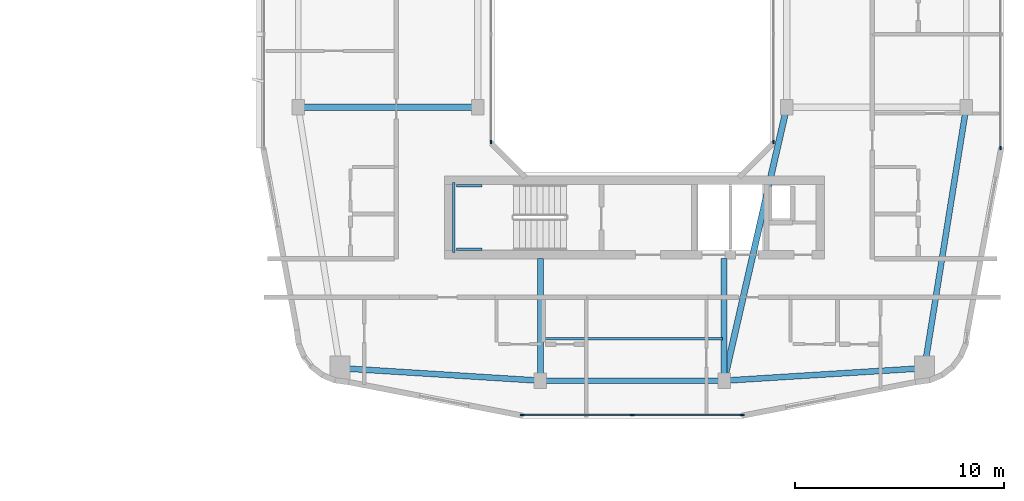
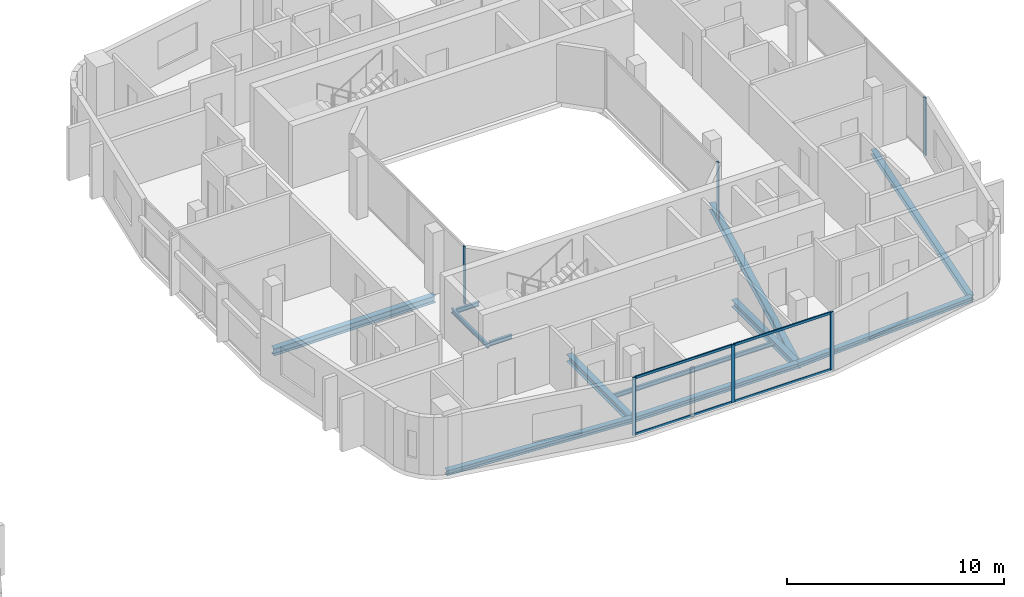
# One storey, part 8 of 26: 12 beams, 10 members, 4 elements without a shape of their own.
"""IFC4 building model written with IfcOpenShell, lengths in metres."""

from ifc_helpers import new_model, si_unit, derived_unit, direction, frame, origin, origin_2d, place, context, subcontext, project, spatial, rectangle, i_section, extrude, material, layer, layer_set, material_profile, profile_set, type_object, element, aggregate, save


model = new_model("IFC4")

# Units and contexts
model_context = context("Model", 3, precision=1e-05, world=origin(), true_north=direction((0.0, 1.0)))
body_context = subcontext(model_context, "Body", "Model", "MODEL_VIEW")
ifc_project = project(units=[si_unit("LENGTHUNIT", "METRE"), si_unit("AREAUNIT", "SQUARE_METRE"), si_unit("VOLUMEUNIT", "CUBIC_METRE"), si_unit("PLANEANGLEUNIT", "RADIAN"), si_unit("MASSUNIT", "GRAM", prefix="KILO"), derived_unit("THERMALTRANSMITTANCEUNIT", [(si_unit("POWERUNIT", "WATT"), 1), (si_unit("LENGTHUNIT", "METRE"), -2), (si_unit("THERMODYNAMICTEMPERATUREUNIT", "KELVIN"), -1)])], contexts=[model_context])

# Site, building, storey
site_placement = place(None, origin())
site = spatial("IfcSite", under=ifc_project, at=site_placement, CompositionType="ELEMENT")
building_placement = place(site_placement, origin())
building = spatial("IfcBuilding", under=site, at=building_placement, Name="Kivonza Crest Hotel", CompositionType="ELEMENT")
storey_placement = place(building_placement, frame((0.0, 0.0, 102.0)))
storey = spatial("IfcBuildingStorey", under=building, at=storey_placement, Name="L27", CompositionType="ELEMENT", Elevation=102.0)

# Beams
ifc_material_1 = material(Name="Steel S355", Category="steel")
ifc_material_profile_1 = material_profile(ifc_material_1, i_section(OverallWidth=0.280029296875, OverallDepth=0.280029296875, WebThickness=0.010498046875, FlangeThickness=0.01806640625, FilletRadius=0.02392578125, at=origin_2d()), Name="HEB 280")
ifc_profile_set_1 = profile_set([ifc_material_profile_1], Name="Steel S355")
beam_type_1 = type_object("IfcBeamType", Name="BM-HEB280", PredefinedType="SPANDREL", material=ifc_profile_set_1)
beam_1_placement = place(storey_placement, frame((72.60009765625, 8.39990234375, -0.389892578125), z_axis=(1.0, 0.0, 0.0), x_axis=(0.0, 1.0, 0.0)))
element("IfcBeam", 1, at=beam_1_placement, inside=storey, type_object=beam_type_1, Name="Companion Tower T2 L27 perimeter spandrel S1-S2", PredefinedType="SPANDREL", context=body_context, shape_type="SweptSolid", body=[
    extrude(i_section(OverallWidth=0.280029296875, OverallDepth=0.280029296875, WebThickness=0.010498046875, FlangeThickness=0.01806640625, FilletRadius=0.02392578125, at=origin_2d()), origin(), (0.0, 0.0, 1.0), 8.7998046875),
])
beam_2_placement = place(storey_placement, frame((81.39990234375, 8.39990234375, -0.389892578125), z_axis=(0.998051985873, 0.062387767186, 0.0), x_axis=(-0.062387767186, 0.998051985873, 0.0)))
element("IfcBeam", 2, at=beam_2_placement, inside=storey, type_object=beam_type_1, Name="Companion Tower T2 L27 perimeter spandrel S2-SE", PredefinedType="SPANDREL", context=body_context, shape_type="SweptSolid", body=[
    extrude(i_section(OverallWidth=0.280029296875, OverallDepth=0.280029296875, WebThickness=0.010498046875, FlangeThickness=0.01806640625, FilletRadius=0.02392578125, at=origin_2d()), origin(), (0.0, 0.0, 1.0), 9.618896484375),
])
beam_3_placement = place(storey_placement, frame((91.0, 9.0, -0.389892578125), z_axis=(0.157990501107, 0.987440631917, 0.0), x_axis=(-0.987440631917, 0.157990501107, 0.0)))
element("IfcBeam", 3, at=beam_3_placement, inside=storey, type_object=beam_type_1, Name="Companion Tower T2 L27 perimeter spandrel SE-E1", PredefinedType="SPANDREL", context=body_context, shape_type="SweptSolid", body=[
    extrude(i_section(OverallWidth=0.280029296875, OverallDepth=0.280029296875, WebThickness=0.010498046875, FlangeThickness=0.01806640625, FilletRadius=0.02392578125, at=origin_2d()), origin(), (0.0, 0.0, 1.0), 12.658935546875),
])
beam_4_placement = place(storey_placement, frame((63.0, 9.0, -0.389892578125), z_axis=(0.998051985873, -0.062387767186, 0.0), x_axis=(0.062387767186, 0.998051985873, 0.0)))
element("IfcBeam", 4, at=beam_4_placement, inside=storey, type_object=beam_type_1, Name="Companion Tower T2 L27 perimeter spandrel SW-S1", PredefinedType="SPANDREL", context=body_context, shape_type="SweptSolid", body=[
    extrude(i_section(OverallWidth=0.280029296875, OverallDepth=0.280029296875, WebThickness=0.010498046875, FlangeThickness=0.01806640625, FilletRadius=0.02392578125, at=origin_2d()), origin(), (0.0, 0.0, 1.0), 9.618896484375),
])
ifc_material_profile_2 = material_profile(ifc_material_1, i_section(OverallWidth=0.300048828125, OverallDepth=0.39990234375, WebThickness=0.013427734375, FlangeThickness=0.02392578125, FilletRadius=0.027099609375, at=origin_2d()), Name="HEB 400")
ifc_profile_set_2 = profile_set([ifc_material_profile_2], Name="Steel S355")
beam_type_2 = type_object("IfcBeamType", Name="BM-HEB400", PredefinedType="BEAM", material=ifc_profile_set_2)
beam_5_placement = place(storey_placement, frame((61.0, 21.5, -0.449951171875), z_axis=(1.0, 0.0, 0.0), x_axis=(0.0, 1.0, 0.0)))
element("IfcBeam", 5, at=beam_5_placement, inside=storey, type_object=beam_type_2, Name="Companion Tower T2 L27 girder W1-WL1", PredefinedType="BEAM", context=body_context, shape_type="SweptSolid", body=[
    extrude(i_section(OverallWidth=0.300048828125, OverallDepth=0.39990234375, WebThickness=0.013427734375, FlangeThickness=0.02392578125, FilletRadius=0.027099609375, at=origin_2d()), origin(), (0.0, 0.0, 1.0), 8.60009765625),
])
beam_6_placement = place(storey_placement, frame((84.39990234375, 21.5, -0.449951171875), z_axis=(-0.223227287589, -0.974766422317, 0.0), x_axis=(0.974766422317, -0.223227287589, 0.0)))
element("IfcBeam", 6, at=beam_6_placement, inside=storey, type_object=beam_type_2, Name="Companion Tower T2 L27 girder WR1-S2", PredefinedType="BEAM", context=body_context, shape_type="SweptSolid", body=[
    extrude(i_section(OverallWidth=0.300048828125, OverallDepth=0.39990234375, WebThickness=0.013427734375, FlangeThickness=0.02392578125, FilletRadius=0.027099609375, at=origin_2d()), origin(), (0.0, 0.0, 1.0), 13.439208984375),
])
for number, where, z_axis, x_axis, name in (
    (7, (72.60009765625, 8.39990234375, -0.449951171875), (0.0, 1.0, 0.0), (-1.0, 0.0, 0.0), "Companion T2 L27 radial core girder RS1"),
    (8, (81.39990234375, 8.39990234375, -0.449951171875), (0.0, 1.0, 0.0), (-1.0, 0.0, 0.0), "Companion T2 L27 radial core girder RS2"),
):
    element("IfcBeam", number, at=place(storey_placement, frame(where, z_axis=z_axis, x_axis=x_axis)), inside=storey, type_object=beam_type_2, Name=name, PredefinedType="BEAM", context=body_context, shape_type="SweptSolid", body=[
        extrude(i_section(OverallWidth=0.300048828125, OverallDepth=0.39990234375, WebThickness=0.013427734375, FlangeThickness=0.02392578125, FilletRadius=0.027099609375, at=origin_2d()), origin(), (0.0, 0.0, 1.0), 5.85009765625),
    ])
ifc_material_profile_3 = material_profile(ifc_material_1, i_section(OverallWidth=0.1201171875, OverallDepth=0.239990234375, WebThickness=0.006103515625, FlangeThickness=0.009765625, FilletRadius=0.014892578125, at=origin_2d()), Name="IPE 240")
ifc_profile_set_3 = profile_set([ifc_material_profile_3], Name="Steel S355")
beam_type_3 = type_object("IfcBeamType", Name="BM-IPE240", PredefinedType="JOIST", material=ifc_profile_set_3)
beam_7_placement = place(storey_placement, frame((72.679931640625, 10.39990234375, -0.3701171875), z_axis=(1.0, 0.0, 0.0), x_axis=(0.0, 1.0, 0.0)))
element("IfcBeam", 9, at=beam_7_placement, inside=storey, type_object=beam_type_3, Name="Companion Tower T2 L27 South floor joist", PredefinedType="JOIST", context=body_context, shape_type="SweptSolid", body=[
    extrude(i_section(OverallWidth=0.1201171875, OverallDepth=0.239990234375, WebThickness=0.006103515625, FlangeThickness=0.009765625, FilletRadius=0.014892578125, at=origin_2d()), origin(), (0.0, 0.0, 1.0), 8.64013671875),
])
ifc_material_profile_4 = material_profile(ifc_material_1, i_section(OverallWidth=0.1201171875, OverallDepth=0.239990234375, WebThickness=0.006103515625, FlangeThickness=0.009765625, FilletRadius=0.014892578125, at=origin_2d()), Name="IPE 240")
ifc_profile_set_4 = profile_set([ifc_material_profile_4], Name="Steel S355")
beam_type_4 = type_object("IfcBeamType", Name="BM-LLDG-240", PredefinedType="BEAM", material=ifc_profile_set_4)
beam_8_placement = place(storey_placement, frame((68.4599609375, 14.5400390625, 1.429931640625), z_axis=(0.0, 1.0, 0.0), x_axis=(-1.0, 0.0, 0.0)))
element("IfcBeam", 10, at=beam_8_placement, inside=storey, type_object=beam_type_4, Name="Stair ST-T2-S L27 West landing corbel", PredefinedType="BEAM", context=body_context, shape_type="SweptSolid", body=[
    extrude(i_section(OverallWidth=0.1201171875, OverallDepth=0.239990234375, WebThickness=0.006103515625, FlangeThickness=0.009765625, FilletRadius=0.014892578125, at=origin_2d()), origin(), (0.0, 0.0, 1.0), 3.35986328125),
])
for number, where, z_axis, x_axis, name in (
    (11, (68.590087890625, 14.699951171875, 1.429931640625), (1.0, 0.0, 0.0), (0.0, 1.0, 0.0), "Stair ST-T2-S L27 South landing corbel"),
    (12, (68.590087890625, 17.739990234375, 1.429931640625), (1.0, 0.0, 0.0), (0.0, 1.0, 0.0), "Stair ST-T2-S L27 North landing corbel"),
):
    element("IfcBeam", number, at=place(storey_placement, frame(where, z_axis=z_axis, x_axis=x_axis)), inside=storey, type_object=beam_type_4, Name=name, PredefinedType="BEAM", context=body_context, shape_type="SweptSolid", body=[
        extrude(i_section(OverallWidth=0.1201171875, OverallDepth=0.239990234375, WebThickness=0.006103515625, FlangeThickness=0.009765625, FilletRadius=0.014892578125, at=origin_2d()), origin(), (0.0, 0.0, 1.0), 1.2099609375),
    ])

# Curtain wall, members
ifc_material_2 = material(Name="Anodised bronze aluminium and low-E double glazing", Category="aluminium")
ifc_layer_1 = layer(ifc_material_2, 0.179931640625)
ifc_layer_set_1 = layer_set([ifc_layer_1], Name="Anodised bronze aluminium and low-E double glazing")
curtain_wall_type_1 = type_object("IfcCurtainWallType", Name="CW-SYS-4", PredefinedType="NOTDEFINED", material=ifc_layer_set_1)
curtain_wall_1_placement = place(storey_placement, origin())
curtain_wall_1 = element("IfcCurtainWall", 13, at=curtain_wall_1_placement, inside=storey, type_object=curtain_wall_type_1, Name="L27 unitised curtain wall CW-T2-L27-08", PredefinedType="NOTDEFINED")
ifc_material_3 = material(Name="Anodised bronze aluminium", Category="aluminium")
ifc_material_profile_5 = material_profile(ifc_material_3, rectangle(XDim=0.06494140625, YDim=0.179931640625, at=origin_2d()), Name="CW-M 65x180")
ifc_profile_set_5 = profile_set([ifc_material_profile_5], Name="Anodised bronze aluminium")
member_type_1 = type_object("IfcMemberType", Name="CW-MUL-65x180", PredefinedType="MULLION", material=ifc_profile_set_5)
member_1_placement = place(storey_placement, frame((71.732421875, 6.760009765625, 0.0), z_axis=(0.0, 0.0, 1.0), x_axis=(0.0, 1.0, 0.0)))
member_1 = element("IfcMember", 14, at=member_1_placement, type_object=member_type_1, Name="CW-4 mullion 1", PredefinedType="MULLION", context=body_context, shape_type="SweptSolid", body=[
    extrude(rectangle(XDim=0.06494140625, YDim=0.179931640625, at=origin_2d()), origin(), (0.0, 0.0, 1.0), 3.25),
])
member_2_placement = place(storey_placement, frame((77.0, 6.760009765625, 0.0), z_axis=(0.0, 0.0, 1.0), x_axis=(0.0, 1.0, 0.0)))
member_2 = element("IfcMember", 15, at=member_2_placement, type_object=member_type_1, Name="CW-4 mullion 2", PredefinedType="MULLION", context=body_context, shape_type="SweptSolid", body=[
    extrude(rectangle(XDim=0.06494140625, YDim=0.179931640625, at=origin_2d()), origin(), (0.0, 0.0, 1.0), 3.25),
])
member_3_placement = place(storey_placement, frame((82.267578125, 6.760009765625, 0.0), z_axis=(0.0, 0.0, 1.0), x_axis=(0.0, 1.0, 0.0)))
member_3 = element("IfcMember", 16, at=member_3_placement, type_object=member_type_1, Name="CW-4 mullion 3", PredefinedType="MULLION", context=body_context, shape_type="SweptSolid", body=[
    extrude(rectangle(XDim=0.06494140625, YDim=0.179931640625, at=origin_2d()), origin(), (0.0, 0.0, 1.0), 3.25),
])

# Curtain wall, member
curtain_wall_2_placement = place(storey_placement, origin())
curtain_wall_2 = element("IfcCurtainWall", 17, at=curtain_wall_2_placement, inside=storey, type_object=curtain_wall_type_1, Name="L27 unitised curtain wall CW-T2-L27-17", PredefinedType="NOTDEFINED")
member_4_placement = place(storey_placement, frame((94.639892578125, 19.552490234375, 0.0), z_axis=(0.0, 0.0, 1.0), x_axis=(-1.0, 0.0, 0.0)))
member_4 = element("IfcMember", 18, at=member_4_placement, type_object=member_type_1, Name="CW-4 mullion 1", PredefinedType="MULLION", context=body_context, shape_type="SweptSolid", body=[
    extrude(rectangle(XDim=0.06494140625, YDim=0.179931640625, at=origin_2d()), origin(), (0.0, 0.0, 1.0), 3.25),
])
aggregate(curtain_wall_2, [member_4])

ifc_layer_2 = layer(ifc_material_2, 0.159912109375)
ifc_layer_set_2 = layer_set([ifc_layer_2], Name="Anodised bronze aluminium and low-E double glazing")
curtain_wall_type_2 = type_object("IfcCurtainWallType", Name="CW-SYS-5", PredefinedType="NOTDEFINED", material=ifc_layer_set_2)
curtain_wall_3_placement = place(storey_placement, origin())
curtain_wall_3 = element("IfcCurtainWall", 19, at=curtain_wall_3_placement, inside=storey, type_object=curtain_wall_type_2, Name="L27 unitised curtain wall CW-WELL-T2-L27-3", PredefinedType="NOTDEFINED")
member_5_placement = place(storey_placement, frame((83.760009765625, 19.83251953125, 0.0), z_axis=(0.0, 0.0, 1.0), x_axis=(-1.0, 0.0, 0.0)))
member_5 = element("IfcMember", 20, at=member_5_placement, type_object=member_type_1, Name="CW-5 mullion 1", PredefinedType="MULLION", context=body_context, shape_type="SweptSolid", body=[
    extrude(rectangle(XDim=0.06494140625, YDim=0.179931640625, at=origin_2d()), origin(), (0.0, 0.0, 1.0), 3.25),
])
aggregate(curtain_wall_3, [member_5])

curtain_wall_4_placement = place(storey_placement, origin())
curtain_wall_4 = element("IfcCurtainWall", 21, at=curtain_wall_4_placement, inside=storey, type_object=curtain_wall_type_2, Name="L27 unitised curtain wall CW-WELL-T2-L27-7", PredefinedType="NOTDEFINED")
member_6_placement = place(storey_placement, frame((70.239990234375, 19.83251953125, 0.0), z_axis=(0.0, 0.0, 1.0), x_axis=(1.0, 0.0, 0.0)))
member_6 = element("IfcMember", 22, at=member_6_placement, type_object=member_type_1, Name="CW-5 mullion 3", PredefinedType="MULLION", context=body_context, shape_type="SweptSolid", body=[
    extrude(rectangle(XDim=0.06494140625, YDim=0.179931640625, at=origin_2d()), origin(), (0.0, 0.0, 1.0), 3.25),
])
aggregate(curtain_wall_4, [member_6])

# Member
ifc_material_profile_6 = material_profile(ifc_material_3, rectangle(XDim=0.06494140625, YDim=0.139892578125, at=origin_2d()), Name="CW-T 65x140")
ifc_profile_set_6 = profile_set([ifc_material_profile_6], Name="Anodised bronze aluminium")
member_type_2 = type_object("IfcMemberType", Name="CW-TRN-65x140", PredefinedType="USERDEFINED", material=ifc_profile_set_6)
member_7_placement = place(storey_placement, frame((71.764892578125, 6.760009765625, 0.032470703125), z_axis=(1.0, 0.0, 0.0), x_axis=(0.0, 1.0, 0.0)))
member_7 = element("IfcMember", 23, at=member_7_placement, type_object=member_type_2, Name="CW-4 transom 1.1", ObjectType="TRANSOM", PredefinedType="USERDEFINED", context=body_context, shape_type="SweptSolid", body=[
    extrude(rectangle(XDim=0.06494140625, YDim=0.139892578125, at=origin_2d()), origin(), (0.0, 0.0, 1.0), 5.20263671875),
])

member_8_placement = place(storey_placement, frame((71.764892578125, 6.760009765625, 3.217529296875), z_axis=(1.0, 0.0, 0.0), x_axis=(0.0, 1.0, 0.0)))
member_8 = element("IfcMember", 24, at=member_8_placement, type_object=member_type_2, Name="CW-4 transom 1.2", ObjectType="TRANSOM", PredefinedType="USERDEFINED", context=body_context, shape_type="SweptSolid", body=[
    extrude(rectangle(XDim=0.06494140625, YDim=0.139892578125, at=origin_2d()), origin(), (0.0, 0.0, 1.0), 5.20263671875),
])

member_9_placement = place(storey_placement, frame((77.032470703125, 6.760009765625, 0.032470703125), z_axis=(1.0, 0.0, 0.0), x_axis=(0.0, 1.0, 0.0)))
member_9 = element("IfcMember", 25, at=member_9_placement, type_object=member_type_2, Name="CW-4 transom 2.1", ObjectType="TRANSOM", PredefinedType="USERDEFINED", context=body_context, shape_type="SweptSolid", body=[
    extrude(rectangle(XDim=0.06494140625, YDim=0.139892578125, at=origin_2d()), origin(), (0.0, 0.0, 1.0), 5.20263671875),
])

member_10_placement = place(storey_placement, frame((77.032470703125, 6.760009765625, 3.217529296875), z_axis=(1.0, 0.0, 0.0), x_axis=(0.0, 1.0, 0.0)))
member_10 = element("IfcMember", 26, at=member_10_placement, type_object=member_type_2, Name="CW-4 transom 2.2", ObjectType="TRANSOM", PredefinedType="USERDEFINED", context=body_context, shape_type="SweptSolid", body=[
    extrude(rectangle(XDim=0.06494140625, YDim=0.139892578125, at=origin_2d()), origin(), (0.0, 0.0, 1.0), 5.20263671875),
])

aggregate(curtain_wall_1, [member_1, member_2, member_3, member_7, member_8, member_9, member_10])

save(model, "model.ifc")
